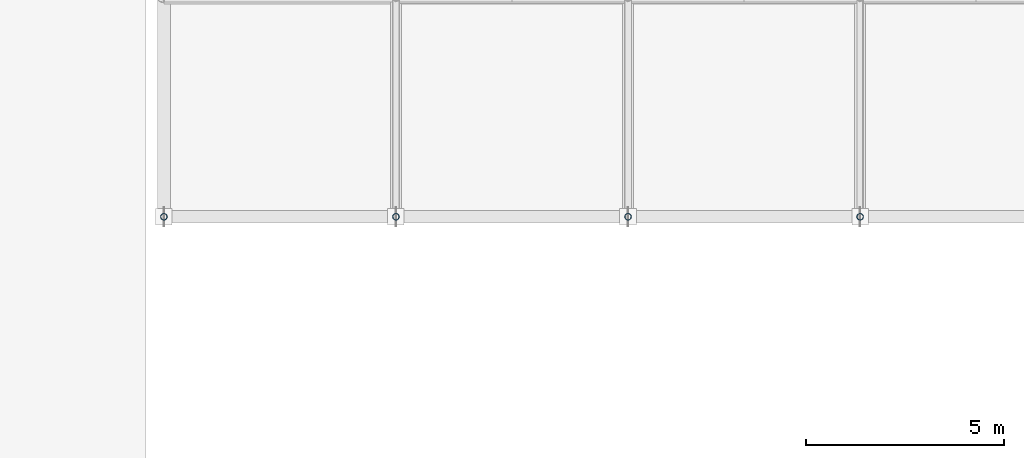
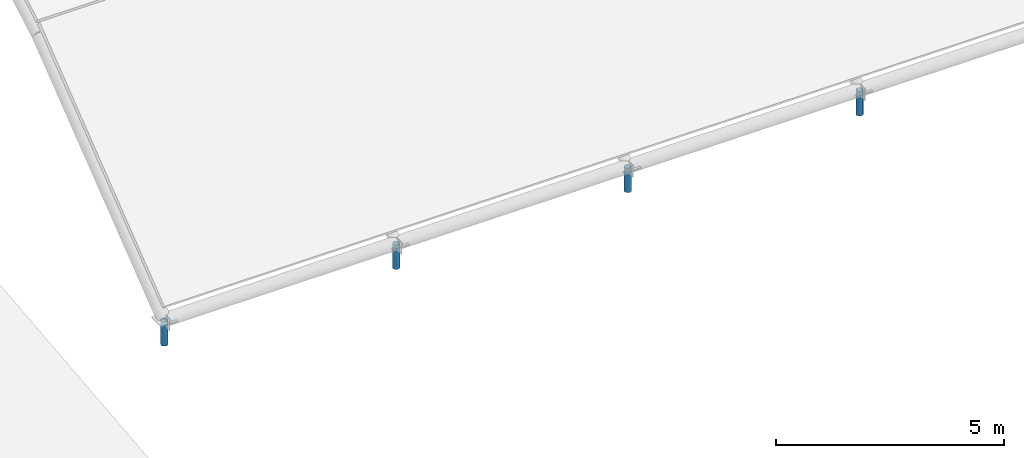
# One storey, part 69 of 82: 4 members.
"""IFC4 building model written with IfcOpenShell, lengths in metres."""

from ifc_helpers import new_model, si_unit, direction, frame, origin, origin_2d, place, context, subcontext, project, spatial, hollow_circle, extrude, material, material_profile, profile_set, type_object, element, save


model = new_model("IFC4")

# Units and contexts
model_context = context("Model", 3, precision=1e-05, world=origin(), true_north=direction((0.0, 1.0)))
body_context = subcontext(model_context, "Body", "Model", "MODEL_VIEW")
ifc_project = project(units=[si_unit("LENGTHUNIT", "METRE"), si_unit("AREAUNIT", "SQUARE_METRE"), si_unit("VOLUMEUNIT", "CUBIC_METRE"), si_unit("PLANEANGLEUNIT", "RADIAN"), si_unit("MASSUNIT", "GRAM", prefix="KILO")], contexts=[model_context])

# Site, building, storey
site_placement = place(None, origin())
site = spatial("IfcSite", under=ifc_project, at=site_placement, CompositionType="ELEMENT")
building_placement = place(site_placement, origin())
building = spatial("IfcBuilding", under=site, at=building_placement, Name="Bramfleet General Hospital", CompositionType="ELEMENT")
storey_placement = place(building_placement, frame((0.0, 0.0, 34.199951171875)))
storey = spatial("IfcBuildingStorey", under=building, at=storey_placement, Name="Roof", CompositionType="ELEMENT", Elevation=34.199951171875)

# Members
ifc_material = material(Name="Steel S355", Category="steel")
ifc_material_profile = material_profile(ifc_material, hollow_circle(Radius=0.084228515625, WallThickness=0.008056640625, at=origin_2d()), Name="CHS 168.3x8.0")
ifc_profile_set = profile_set([ifc_material_profile], Name="Steel S355")
member_type = type_object("IfcMemberType", Name="MEM-SF-DG1", PredefinedType="STRUT", material=ifc_profile_set)
for number, where, z_axis, x_axis, name in (
    (1, (50.85009765625, 17.25, -20.099853515625), (0.0, 0.0, 1.0), (1.0, 0.0, 0.0), "Space Frame Springing Pedestal 0-0"),
    (2, (56.721435546875, 17.25, -20.099853515625), (0.0, 0.0, 1.0), (1.0, 0.0, 0.0), "Space Frame Springing Pedestal 1-0"),
    (3, (62.5927734375, 17.25, -20.099853515625), (0.0, 0.0, 1.0), (1.0, 0.0, 0.0), "Space Frame Springing Pedestal 2-0"),
    (4, (68.46435546875, 17.25, -20.099853515625), (0.0, 0.0, 1.0), (1.0, 0.0, 0.0), "Space Frame Springing Pedestal 3-0"),
):
    element("IfcMember", number, at=place(storey_placement, frame(where, z_axis=z_axis, x_axis=x_axis)), inside=storey, type_object=member_type, Name=name, PredefinedType="STRUT", context=body_context, shape_type="SweptSolid", body=[
        extrude(hollow_circle(Radius=0.084228515625, WallThickness=0.008056640625, at=origin_2d()), origin(), (0.0, 0.0, 1.0), 0.64990234375),
    ])

save(model, "model.ifc")
